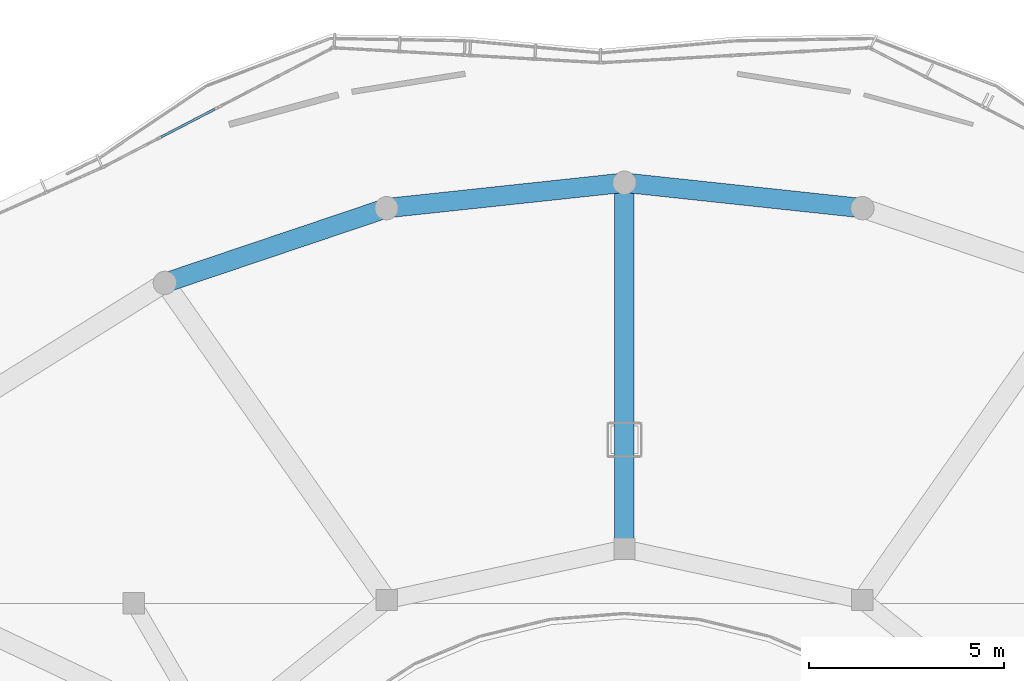
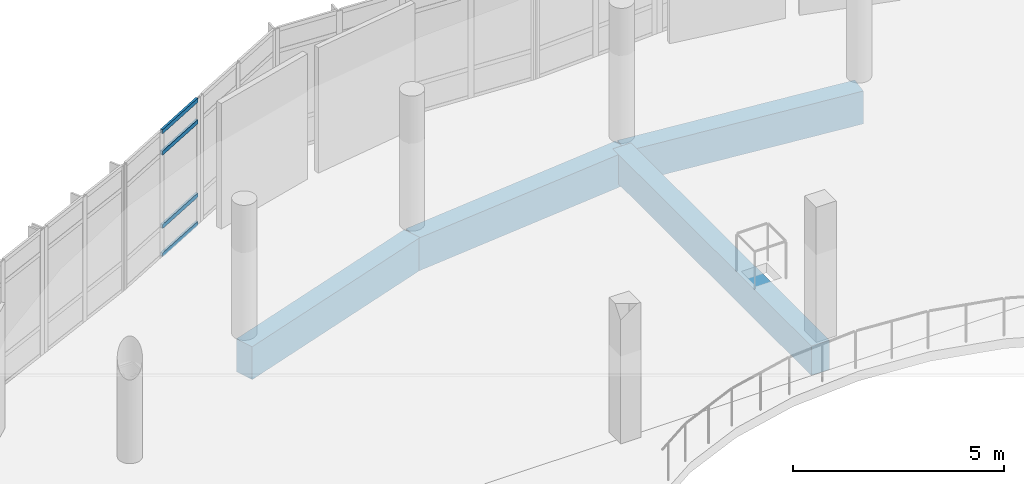
# One storey, part 39 of 74: 4 beams, 4 members, 1 element without a shape of its own.
"""IFC4 building model written with IfcOpenShell, lengths in metres."""

import ifcopenshell
import ifcopenshell.guid

model = None  # the IFC model being written
_history = None  # IfcOwnerHistory: only IFC2X3 demands one
_inside = {}  # id of a spatial element -> (the spatial element, [elements in it])
_under = {}  # id of a project, library or spatial element -> (it, [spatial elements below it])
_declared = {}  # id of a project -> (the project, [libraries it declares])
_typed = {}  # id of a type object -> (the type object, [elements of that type])
_made_of = {}  # id of a material, layer set ... -> (it, [elements and type objects made of it])


def new_model(schema):
    """Start an empty IFC model of exactly this schema.

    Asked for "IFC4X3", IfcOpenShell would pick the latest addendum, in which some entities
    have other attributes; the version numbers below select the first issue.
    IFC2X3 requires an IfcOwnerHistory on every rooted entity: one is made here for all.
    """
    global model, _history
    if schema == "IFC4X3":
        model = ifcopenshell.file(schema_version=(4, 3, 0, 0))
    else:
        model = ifcopenshell.file(schema=schema)
    _inside.clear()
    _under.clear()
    _declared.clear()
    _typed.clear()
    _made_of.clear()
    _history = None
    if model.schema == "IFC2X3":
        org = make("IfcOrganization", Name="unknown")
        user = make(
            "IfcPersonAndOrganization",
            ThePerson=make("IfcPerson", FamilyName="unknown"),
            TheOrganization=org,
        )
        app = make(
            "IfcApplication",
            ApplicationDeveloper=org,
            Version="unknown",
            ApplicationFullName="unknown",
            ApplicationIdentifier="unknown",
        )
        _history = make(
            "IfcOwnerHistory",
            OwningUser=user,
            OwningApplication=app,
            ChangeAction="ADDED",
            CreationDate=0,
        )
    return model


def make(cls, **values):
    """One entity of the class cls with the attributes given. An attribute that is None is left unset."""
    return model.create_entity(
        cls, **{name: value for name, value in values.items() if value is not None}
    )


def rooted(cls, **values):
    """An entity with a GlobalId (a new one), such as an element, a storey or a relation."""
    return make(cls, GlobalId=ifcopenshell.guid.new(), OwnerHistory=_history, **values)


def si_unit(unit_type, name, prefix=None):
    """IfcSIUnit, for example si_unit("LENGTHUNIT", "METRE", prefix="MILLI")."""
    return make("IfcSIUnit", UnitType=unit_type, Prefix=prefix, Name=name)


def derived_unit(unit_type, elements):
    """IfcDerivedUnit: a product of units, each with its exponent."""
    return make(
        "IfcDerivedUnit",
        Elements=[
            make("IfcDerivedUnitElement", Unit=unit, Exponent=power)
            for unit, power in elements
        ],
        UnitType=unit_type,
    )


def assignment(units):
    """IfcUnitAssignment: the units of a project."""
    return None if units is None else make("IfcUnitAssignment", Units=units)


def point(xyz):
    """IfcCartesianPoint."""
    return None if xyz is None else make("IfcCartesianPoint", Coordinates=xyz)


def direction(xyz):
    """IfcDirection."""
    return None if xyz is None else make("IfcDirection", DirectionRatios=xyz)


def frame(location, z_axis=None, x_axis=None):
    """IfcAxis2Placement3D, a coordinate frame: its origin and axes. An axis left out is left unset."""
    return make(
        "IfcAxis2Placement3D",
        Location=point(location),
        Axis=direction(z_axis),
        RefDirection=direction(x_axis),
    )


def frame_2d(location, x_axis=None):
    """IfcAxis2Placement2D, a coordinate frame in the plane: its origin and x axis."""
    return make(
        "IfcAxis2Placement2D", Location=point(location), RefDirection=direction(x_axis)
    )


def origin():
    """The frame at (0, 0, 0) with its axes left unset."""
    return frame((0.0, 0.0, 0.0))


def origin_2d():
    """The frame at (0, 0) in the plane with its x axis left unset."""
    return frame_2d((0.0, 0.0))


def place(relative_to, where):
    """IfcLocalPlacement: puts the frame where relative to a parent placement (None: the world)."""
    return make(
        "IfcLocalPlacement", PlacementRelTo=relative_to, RelativePlacement=where
    )


def context(
    kind, dimensions, precision=None, world=None, true_north=None, identifier=None
):
    """IfcGeometricRepresentationContext, for example the 3D "Model" context."""
    return make(
        "IfcGeometricRepresentationContext",
        ContextIdentifier=identifier,
        ContextType=kind,
        CoordinateSpaceDimension=dimensions,
        Precision=precision,
        WorldCoordinateSystem=world,
        TrueNorth=true_north,
    )


def subcontext(parent, identifier, kind, view, scale=None):
    """IfcGeometricRepresentationSubContext, for example "Body" below "Model"."""
    return make(
        "IfcGeometricRepresentationSubContext",
        ContextIdentifier=identifier,
        ContextType=kind,
        ParentContext=parent,
        TargetScale=scale,
        TargetView=view,
    )


def project(units=None, contexts=None):
    """IfcProject with its units and contexts."""
    return rooted(
        "IfcProject",
        Name="project",
        RepresentationContexts=contexts,
        UnitsInContext=assignment(units),
    )


def spatial(cls, under=None, at=None, **own):
    """A site, building, storey or space (cls), placed at a placement, below another one or the project."""
    s = rooted(cls, ObjectPlacement=at, **own)
    if under is not None:
        _under.setdefault(under.id(), (under, []))[1].append(s)
    return s


def profile(cls, at=None, kind="AREA", **sizes):
    """A parametric profile (cls). Its sizes go by their IFC names, for example OverallWidth=200.0."""
    return make(cls, ProfileType=kind, Position=at, **sizes)


def rectangle(**sizes):
    """IfcRectangleProfileDef."""
    return profile("IfcRectangleProfileDef", **sizes)


def hollow_rectangle(**sizes):
    """IfcRectangleHollowProfileDef."""
    return profile("IfcRectangleHollowProfileDef", **sizes)


def extrude(swept, where, along, depth):
    """IfcExtrudedAreaSolid: the profile swept, set in the frame where, extruded along a direction by depth."""
    return make(
        "IfcExtrudedAreaSolid",
        SweptArea=swept,
        Position=where,
        ExtrudedDirection=direction(along),
        Depth=depth,
    )


def shape(context_of_items, identifier, shape_type, items):
    """IfcShapeRepresentation: the items that make up one representation, for example the "Body"."""
    return make(
        "IfcShapeRepresentation",
        ContextOfItems=context_of_items,
        RepresentationIdentifier=identifier,
        RepresentationType=shape_type,
        Items=items,
    )


def material(Name=None, Category=None):
    """IfcMaterial."""
    return make("IfcMaterial", Name=Name, Category=Category)


def layer(
    of_material, thickness, ventilated=None, Name=None, Category=None, Priority=None
):
    """IfcMaterialLayer: one layer of a wall or slab, of a material (None: an air gap)."""
    return make(
        "IfcMaterialLayer",
        Material=of_material,
        LayerThickness=thickness,
        IsVentilated=ventilated,
        Name=Name,
        Category=Category,
        Priority=Priority,
    )


def layer_set(layers, Name=None):
    """IfcMaterialLayerSet."""
    return make("IfcMaterialLayerSet", MaterialLayers=layers, LayerSetName=Name)


def material_profile(
    of_material, cross_section, Name=None, Category=None, Priority=None
):
    """IfcMaterialProfile: a cross section and its material."""
    return make(
        "IfcMaterialProfile",
        Name=Name,
        Material=of_material,
        Profile=cross_section,
        Priority=Priority,
        Category=Category,
    )


def profile_set(profiles, Name=None, composite=None):
    """IfcMaterialProfileSet."""
    return make(
        "IfcMaterialProfileSet",
        Name=Name,
        MaterialProfiles=profiles,
        CompositeProfile=composite,
    )


def made_of(thing, what):
    """Note that an element or type object is made of a material, layer set ...; save() writes the relation."""
    if what is not None:
        _made_of.setdefault(what.id(), (what, []))[1].append(thing)
    return thing


def type_object(cls, material=None, **own):
    """A type object (cls), such as IfcWallType, which elements share."""
    return made_of(rooted(cls, **own), material)


def element(
    cls,
    number,
    at=None,
    inside=None,
    cuts=None,
    type_object=None,
    material=None,
    context=None,
    identifier="Body",
    shape_type=None,
    held_by="IfcProductDefinitionShape",
    body=None,
    shapes=None,
    **own,
):
    """One element of the class cls, such as IfcWall. Its Tag is "e" and its number.

    at: its placement. inside: the storey or other place that contains it. cuts: it is an
    opening in that element (IfcRelVoidsElement). A single representation is given by context,
    identifier, shape_type and body (its items); several are given by shapes. held_by: the class
    of the entity that holds the representations. save() writes the other relations.
    """
    e = rooted(cls, Tag="e%d" % number, ObjectPlacement=at, **own)
    if body is not None:
        shapes = [shape(context, identifier, shape_type, body)]
    if shapes is not None:
        e.Representation = make(held_by, Representations=shapes)
    if inside is not None:
        _inside.setdefault(inside.id(), (inside, []))[1].append(e)
    if cuts is not None:
        rooted(
            "IfcRelVoidsElement", RelatingBuildingElement=cuts, RelatedOpeningElement=e
        )
    if type_object is not None:
        _typed.setdefault(type_object.id(), (type_object, []))[1].append(e)
    return made_of(e, material)


def aggregate(whole, parts):
    """IfcRelAggregates: a whole, such as a stair, and the parts it consists of."""
    return rooted("IfcRelAggregates", RelatingObject=whole, RelatedObjects=parts)


def save(model, path):
    """Write the relations noted so far, then the file.

    IfcRelAggregates (storeys below a building ...), IfcRelContainedInSpatialStructure (elements
    in a storey), IfcRelDefinesByType, IfcRelAssociatesMaterial and IfcRelDeclares: one each for
    every whole, place, type object, material and project.
    """
    for whole, parts in _under.values():
        aggregate(whole, parts)
    for where, things in _inside.values():
        rooted(
            "IfcRelContainedInSpatialStructure",
            RelatedElements=things,
            RelatingStructure=where,
        )
    for kind, things in _typed.values():
        rooted("IfcRelDefinesByType", RelatedObjects=things, RelatingType=kind)
    for what, things in _made_of.values():
        rooted("IfcRelAssociatesMaterial", RelatedObjects=things, RelatingMaterial=what)
    for by, libraries in _declared.values():
        rooted("IfcRelDeclares", RelatingContext=by, RelatedDefinitions=libraries)
    model.write(path)


model = new_model("IFC4")

# Units and contexts
model_context = context("Model", 3, precision=1e-05, world=origin(), true_north=direction((0.0, 1.0)))
body_context = subcontext(model_context, "Body", "Model", "MODEL_VIEW")
ifc_project = project(units=[si_unit("LENGTHUNIT", "METRE"), si_unit("AREAUNIT", "SQUARE_METRE"), si_unit("VOLUMEUNIT", "CUBIC_METRE"), si_unit("PLANEANGLEUNIT", "RADIAN"), si_unit("MASSUNIT", "GRAM", prefix="KILO"), derived_unit("THERMALTRANSMITTANCEUNIT", [(si_unit("POWERUNIT", "WATT"), 1), (si_unit("LENGTHUNIT", "METRE"), -2), (si_unit("THERMODYNAMICTEMPERATUREUNIT", "KELVIN"), -1)])], contexts=[model_context])

# Site, building, storey
site_placement = place(None, origin())
site = spatial("IfcSite", under=ifc_project, at=site_placement, CompositionType="ELEMENT")
building_placement = place(site_placement, origin())
building = spatial("IfcBuilding", under=site, at=building_placement, Name="Elbkamm Science Centre", CompositionType="ELEMENT")
storey_placement = place(building_placement, frame((0.0, 0.0, 14.39990234375)))
storey = spatial("IfcBuildingStorey", under=building, at=storey_placement, Name="L03", CompositionType="ELEMENT", Elevation=14.39990234375)

# Beams
ifc_material_1 = material(Name="Concrete C40/50", Category="concrete")
ifc_material_profile_1 = material_profile(ifc_material_1, rectangle(XDim=0.5, YDim=0.85009765625, at=origin_2d()), Name="RC 500x850")
ifc_profile_set_1 = profile_set([ifc_material_profile_1], Name="Concrete C40/50")
beam_type_1 = type_object("IfcBeamType", Name="BM-RC-500x850", PredefinedType="BEAM", material=ifc_profile_set_1)
beam_1_placement = place(storey_placement, frame((63.0, 77.0, -0.704833984375), z_axis=(0.0, 1.0, 0.0), x_axis=(-1.0, 0.0, 0.0)))
element("IfcBeam", 1, at=beam_1_placement, inside=storey, type_object=beam_type_1, Name="L03 Elliptical Radial Girder 04", PredefinedType="BEAM", context=body_context, shape_type="SweptSolid", body=[
    extrude(rectangle(XDim=0.5, YDim=0.85009765625, at=origin_2d()), origin(), (0.0, 0.0, 1.0), 9.39990234375),
])
ifc_material_profile_2 = material_profile(ifc_material_1, rectangle(XDim=0.5, YDim=0.949951171875, at=origin_2d()), Name="RC 500x950")
ifc_profile_set_2 = profile_set([ifc_material_profile_2], Name="Concrete C40/50")
beam_type_2 = type_object("IfcBeamType", Name="BM-RC-500x950", PredefinedType="BEAM", material=ifc_profile_set_2)
for number, where, z_axis, x_axis, name in (
    (2, (69.10791015625, 85.74609375, -0.7548828125), (-0.994319674005, 0.106434890358, 0.0), (-0.106434890358, -0.994319674005, 0.0), "L03 Elliptical Shell Perimeter Ring Beam 06"),
    (3, (63.0, 86.39990234375, -0.7548828125), (-0.994319674005, -0.106434890358, 0.0), (0.106434890358, -0.994319674005, 0.0), "L03 Elliptical Shell Perimeter Ring Beam 07"),
):
    element("IfcBeam", number, at=place(storey_placement, frame(where, z_axis=z_axis, x_axis=x_axis)), inside=storey, type_object=beam_type_2, Name=name, PredefinedType="SPANDREL", context=body_context, shape_type="SweptSolid", body=[
        extrude(rectangle(XDim=0.5, YDim=0.949951171875, at=origin_2d()), origin(), (0.0, 0.0, 1.0), 6.142822265625),
    ])
beam_2_placement = place(storey_placement, frame((56.89208984375, 85.74609375, -0.7548828125), z_axis=(-0.947637651085, -0.319347588444, 0.0), x_axis=(0.319347588444, -0.947637651085, 0.0)))
element("IfcBeam", 4, at=beam_2_placement, inside=storey, type_object=beam_type_2, Name="L03 Elliptical Shell Perimeter Ring Beam 08", PredefinedType="SPANDREL", context=body_context, shape_type="SweptSolid", body=[
    extrude(rectangle(XDim=0.5, YDim=0.949951171875, at=origin_2d()), origin(), (0.0, 0.0, 1.0), 6.006591796875),
])

# Curtain wall, members
ifc_material_2 = material(Name="Powder-coated aluminium and triple low-E glazing", Category="aluminium")
ifc_layer = layer(ifc_material_2, 0.159912109375)
ifc_layer_set = layer_set([ifc_layer], Name="Powder-coated aluminium and triple low-E glazing")
curtain_wall_type = type_object("IfcCurtainWallType", Name="CW-UNIT-3280x3620", PredefinedType="USERDEFINED", material=ifc_layer_set)
curtain_wall_placement = place(storey_placement, origin())
curtain_wall = element("IfcCurtainWall", 5, at=curtain_wall_placement, inside=storey, type_object=curtain_wall_type, Name="L03 Unitised Curtain Wall 060", ObjectType="UNITISED CURTAIN WALL", PredefinedType="USERDEFINED")
ifc_material_3 = material(Name="Powder-coated aluminium EN AW-6060", Category="aluminium")
ifc_material_profile_3 = material_profile(ifc_material_3, hollow_rectangle(XDim=0.06005859375, YDim=0.1201171875, WallThickness=0.00341796875, at=origin_2d()), Name="ALU T60x120")
ifc_profile_set_3 = profile_set([ifc_material_profile_3], Name="Powder-coated aluminium EN AW-6060")
member_type = type_object("IfcMemberType", Name="CW-TRN-60x120", PredefinedType="USERDEFINED", material=ifc_profile_set_3)
member_1_placement = place(storey_placement, frame((52.479736328125, 88.287353515625, 0.030029296875), z_axis=(-0.88735856407, -0.461080013416, 0.0), x_axis=(0.461080013416, -0.88735856407, 0.0)))
member_1 = element("IfcMember", 6, at=member_1_placement, type_object=member_type, Name="CW-024 transom 1.1", ObjectType="TRANSOM", PredefinedType="USERDEFINED", context=body_context, shape_type="SweptSolid", body=[
    extrude(hollow_rectangle(XDim=0.06005859375, YDim=0.1201171875, WallThickness=0.00341796875, at=origin_2d()), origin(), (0.0, 0.0, 1.0), 1.55029296875),
])
member_2_placement = place(storey_placement, frame((52.479736328125, 88.287353515625, 0.85009765625), z_axis=(-0.88735856407, -0.461080013416, 0.0), x_axis=(0.461080013416, -0.88735856407, 0.0)))
member_2 = element("IfcMember", 7, at=member_2_placement, type_object=member_type, Name="CW-024 transom 1.2", ObjectType="TRANSOM", PredefinedType="USERDEFINED", context=body_context, shape_type="SweptSolid", body=[
    extrude(hollow_rectangle(XDim=0.06005859375, YDim=0.1201171875, WallThickness=0.00341796875, at=origin_2d()), origin(), (0.0, 0.0, 1.0), 1.55029296875),
])
member_3_placement = place(storey_placement, frame((52.479736328125, 88.287353515625, 2.97021484375), z_axis=(-0.88735856407, -0.461080013416, 0.0), x_axis=(0.461080013416, -0.88735856407, 0.0)))
member_3 = element("IfcMember", 8, at=member_3_placement, type_object=member_type, Name="CW-024 transom 1.3", ObjectType="TRANSOM", PredefinedType="USERDEFINED", context=body_context, shape_type="SweptSolid", body=[
    extrude(hollow_rectangle(XDim=0.06005859375, YDim=0.1201171875, WallThickness=0.00341796875, at=origin_2d()), origin(), (0.0, 0.0, 1.0), 1.55029296875),
])
member_4_placement = place(storey_placement, frame((52.479736328125, 88.287353515625, 3.590087890625), z_axis=(-0.88735856407, -0.461080013416, 0.0), x_axis=(0.461080013416, -0.88735856407, 0.0)))
member_4 = element("IfcMember", 9, at=member_4_placement, type_object=member_type, Name="CW-024 transom 1.4", ObjectType="TRANSOM", PredefinedType="USERDEFINED", context=body_context, shape_type="SweptSolid", body=[
    extrude(hollow_rectangle(XDim=0.06005859375, YDim=0.1201171875, WallThickness=0.00341796875, at=origin_2d()), origin(), (0.0, 0.0, 1.0), 1.55029296875),
])
aggregate(curtain_wall, [member_1, member_2, member_3, member_4])

save(model, "model.ifc")
